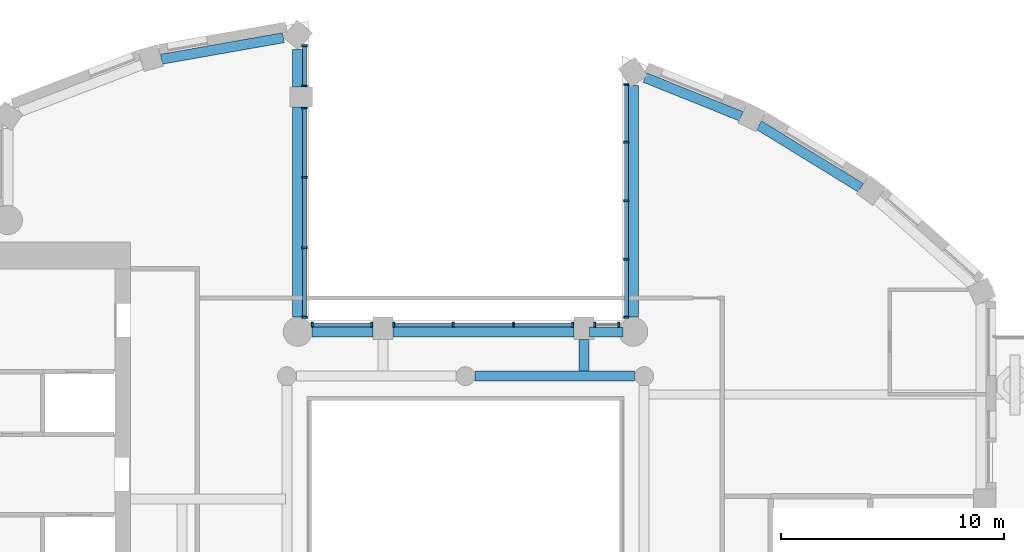
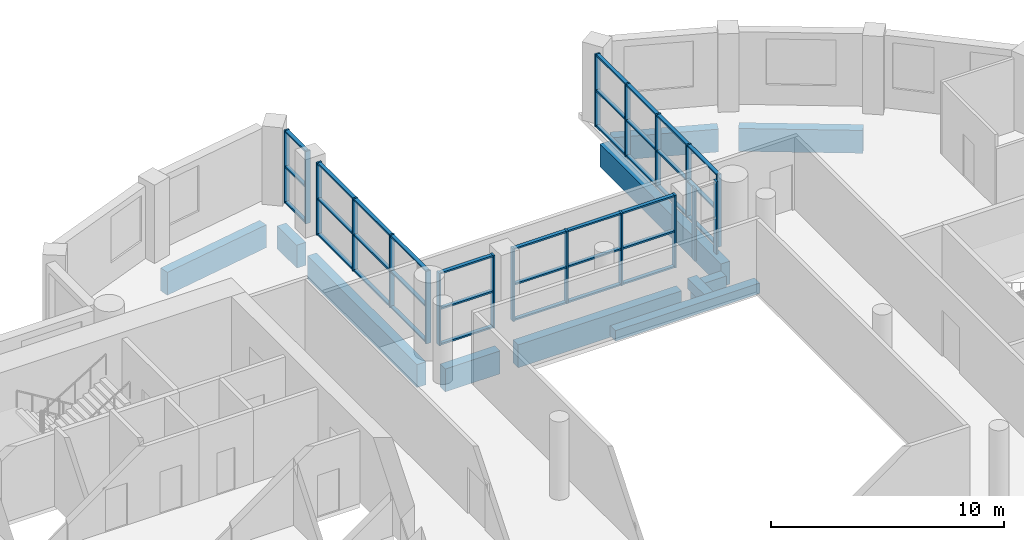
# One storey, part 2 of 14: 55 members, 11 beams, 6 elements without a shape of their own.
"""IFC4 building model written with IfcOpenShell, lengths in metres."""

import ifcopenshell
import ifcopenshell.guid

model = None  # the IFC model being written
_history = None  # IfcOwnerHistory: only IFC2X3 demands one
_inside = {}  # id of a spatial element -> (the spatial element, [elements in it])
_under = {}  # id of a project, library or spatial element -> (it, [spatial elements below it])
_declared = {}  # id of a project -> (the project, [libraries it declares])
_typed = {}  # id of a type object -> (the type object, [elements of that type])
_made_of = {}  # id of a material, layer set ... -> (it, [elements and type objects made of it])


def new_model(schema):
    """Start an empty IFC model of exactly this schema.

    Asked for "IFC4X3", IfcOpenShell would pick the latest addendum, in which some entities
    have other attributes; the version numbers below select the first issue.
    IFC2X3 requires an IfcOwnerHistory on every rooted entity: one is made here for all.
    """
    global model, _history
    if schema == "IFC4X3":
        model = ifcopenshell.file(schema_version=(4, 3, 0, 0))
    else:
        model = ifcopenshell.file(schema=schema)
    _inside.clear()
    _under.clear()
    _declared.clear()
    _typed.clear()
    _made_of.clear()
    _history = None
    if model.schema == "IFC2X3":
        org = make("IfcOrganization", Name="unknown")
        user = make(
            "IfcPersonAndOrganization",
            ThePerson=make("IfcPerson", FamilyName="unknown"),
            TheOrganization=org,
        )
        app = make(
            "IfcApplication",
            ApplicationDeveloper=org,
            Version="unknown",
            ApplicationFullName="unknown",
            ApplicationIdentifier="unknown",
        )
        _history = make(
            "IfcOwnerHistory",
            OwningUser=user,
            OwningApplication=app,
            ChangeAction="ADDED",
            CreationDate=0,
        )
    return model


def make(cls, **values):
    """One entity of the class cls with the attributes given. An attribute that is None is left unset."""
    return model.create_entity(
        cls, **{name: value for name, value in values.items() if value is not None}
    )


def rooted(cls, **values):
    """An entity with a GlobalId (a new one), such as an element, a storey or a relation."""
    return make(cls, GlobalId=ifcopenshell.guid.new(), OwnerHistory=_history, **values)


def si_unit(unit_type, name, prefix=None):
    """IfcSIUnit, for example si_unit("LENGTHUNIT", "METRE", prefix="MILLI")."""
    return make("IfcSIUnit", UnitType=unit_type, Prefix=prefix, Name=name)


def assignment(units):
    """IfcUnitAssignment: the units of a project."""
    return None if units is None else make("IfcUnitAssignment", Units=units)


def point(xyz):
    """IfcCartesianPoint."""
    return None if xyz is None else make("IfcCartesianPoint", Coordinates=xyz)


def direction(xyz):
    """IfcDirection."""
    return None if xyz is None else make("IfcDirection", DirectionRatios=xyz)


def frame(location, z_axis=None, x_axis=None):
    """IfcAxis2Placement3D, a coordinate frame: its origin and axes. An axis left out is left unset."""
    return make(
        "IfcAxis2Placement3D",
        Location=point(location),
        Axis=direction(z_axis),
        RefDirection=direction(x_axis),
    )


def frame_2d(location, x_axis=None):
    """IfcAxis2Placement2D, a coordinate frame in the plane: its origin and x axis."""
    return make(
        "IfcAxis2Placement2D", Location=point(location), RefDirection=direction(x_axis)
    )


def origin():
    """The frame at (0, 0, 0) with its axes left unset."""
    return frame((0.0, 0.0, 0.0))


def origin_2d():
    """The frame at (0, 0) in the plane with its x axis left unset."""
    return frame_2d((0.0, 0.0))


def place(relative_to, where):
    """IfcLocalPlacement: puts the frame where relative to a parent placement (None: the world)."""
    return make(
        "IfcLocalPlacement", PlacementRelTo=relative_to, RelativePlacement=where
    )


def context(
    kind, dimensions, precision=None, world=None, true_north=None, identifier=None
):
    """IfcGeometricRepresentationContext, for example the 3D "Model" context."""
    return make(
        "IfcGeometricRepresentationContext",
        ContextIdentifier=identifier,
        ContextType=kind,
        CoordinateSpaceDimension=dimensions,
        Precision=precision,
        WorldCoordinateSystem=world,
        TrueNorth=true_north,
    )


def subcontext(parent, identifier, kind, view, scale=None):
    """IfcGeometricRepresentationSubContext, for example "Body" below "Model"."""
    return make(
        "IfcGeometricRepresentationSubContext",
        ContextIdentifier=identifier,
        ContextType=kind,
        ParentContext=parent,
        TargetScale=scale,
        TargetView=view,
    )


def project(units=None, contexts=None):
    """IfcProject with its units and contexts."""
    return rooted(
        "IfcProject",
        Name="project",
        RepresentationContexts=contexts,
        UnitsInContext=assignment(units),
    )


def spatial(cls, under=None, at=None, **own):
    """A site, building, storey or space (cls), placed at a placement, below another one or the project."""
    s = rooted(cls, ObjectPlacement=at, **own)
    if under is not None:
        _under.setdefault(under.id(), (under, []))[1].append(s)
    return s


def profile(cls, at=None, kind="AREA", **sizes):
    """A parametric profile (cls). Its sizes go by their IFC names, for example OverallWidth=200.0."""
    return make(cls, ProfileType=kind, Position=at, **sizes)


def rectangle(**sizes):
    """IfcRectangleProfileDef."""
    return profile("IfcRectangleProfileDef", **sizes)


def extrude(swept, where, along, depth):
    """IfcExtrudedAreaSolid: the profile swept, set in the frame where, extruded along a direction by depth."""
    return make(
        "IfcExtrudedAreaSolid",
        SweptArea=swept,
        Position=where,
        ExtrudedDirection=direction(along),
        Depth=depth,
    )


def shape(context_of_items, identifier, shape_type, items):
    """IfcShapeRepresentation: the items that make up one representation, for example the "Body"."""
    return make(
        "IfcShapeRepresentation",
        ContextOfItems=context_of_items,
        RepresentationIdentifier=identifier,
        RepresentationType=shape_type,
        Items=items,
    )


def material(Name=None, Category=None):
    """IfcMaterial."""
    return make("IfcMaterial", Name=Name, Category=Category)


def material_profile(
    of_material, cross_section, Name=None, Category=None, Priority=None
):
    """IfcMaterialProfile: a cross section and its material."""
    return make(
        "IfcMaterialProfile",
        Name=Name,
        Material=of_material,
        Profile=cross_section,
        Priority=Priority,
        Category=Category,
    )


def profile_set(profiles, Name=None, composite=None):
    """IfcMaterialProfileSet."""
    return make(
        "IfcMaterialProfileSet",
        Name=Name,
        MaterialProfiles=profiles,
        CompositeProfile=composite,
    )


def made_of(thing, what):
    """Note that an element or type object is made of a material, layer set ...; save() writes the relation."""
    if what is not None:
        _made_of.setdefault(what.id(), (what, []))[1].append(thing)
    return thing


def type_object(cls, material=None, **own):
    """A type object (cls), such as IfcWallType, which elements share."""
    return made_of(rooted(cls, **own), material)


def element(
    cls,
    number,
    at=None,
    inside=None,
    cuts=None,
    type_object=None,
    material=None,
    context=None,
    identifier="Body",
    shape_type=None,
    held_by="IfcProductDefinitionShape",
    body=None,
    shapes=None,
    **own,
):
    """One element of the class cls, such as IfcWall. Its Tag is "e" and its number.

    at: its placement. inside: the storey or other place that contains it. cuts: it is an
    opening in that element (IfcRelVoidsElement). A single representation is given by context,
    identifier, shape_type and body (its items); several are given by shapes. held_by: the class
    of the entity that holds the representations. save() writes the other relations.
    """
    e = rooted(cls, Tag="e%d" % number, ObjectPlacement=at, **own)
    if body is not None:
        shapes = [shape(context, identifier, shape_type, body)]
    if shapes is not None:
        e.Representation = make(held_by, Representations=shapes)
    if inside is not None:
        _inside.setdefault(inside.id(), (inside, []))[1].append(e)
    if cuts is not None:
        rooted(
            "IfcRelVoidsElement", RelatingBuildingElement=cuts, RelatedOpeningElement=e
        )
    if type_object is not None:
        _typed.setdefault(type_object.id(), (type_object, []))[1].append(e)
    return made_of(e, material)


def aggregate(whole, parts):
    """IfcRelAggregates: a whole, such as a stair, and the parts it consists of."""
    return rooted("IfcRelAggregates", RelatingObject=whole, RelatedObjects=parts)


def save(model, path):
    """Write the relations noted so far, then the file.

    IfcRelAggregates (storeys below a building ...), IfcRelContainedInSpatialStructure (elements
    in a storey), IfcRelDefinesByType, IfcRelAssociatesMaterial and IfcRelDeclares: one each for
    every whole, place, type object, material and project.
    """
    for whole, parts in _under.values():
        aggregate(whole, parts)
    for where, things in _inside.values():
        rooted(
            "IfcRelContainedInSpatialStructure",
            RelatedElements=things,
            RelatingStructure=where,
        )
    for kind, things in _typed.values():
        rooted("IfcRelDefinesByType", RelatedObjects=things, RelatingType=kind)
    for what, things in _made_of.values():
        rooted("IfcRelAssociatesMaterial", RelatedObjects=things, RelatingMaterial=what)
    for by, libraries in _declared.values():
        rooted("IfcRelDeclares", RelatingContext=by, RelatedDefinitions=libraries)
    model.write(path)


model = new_model("IFC4")

# Units and contexts
model_context = context("Model", 3, precision=1e-05, world=origin(), true_north=direction((0.0, 1.0)))
body_context = subcontext(model_context, "Body", "Model", "MODEL_VIEW")
ifc_project = project(units=[si_unit("LENGTHUNIT", "METRE"), si_unit("AREAUNIT", "SQUARE_METRE"), si_unit("VOLUMEUNIT", "CUBIC_METRE"), si_unit("PLANEANGLEUNIT", "RADIAN"), si_unit("MASSUNIT", "GRAM", prefix="KILO")], contexts=[model_context])

# Site, building, storey
site_placement = place(None, origin())
site = spatial("IfcSite", under=ifc_project, at=site_placement, CompositionType="ELEMENT")
building_placement = place(site_placement, origin())
building = spatial("IfcBuilding", under=site, at=building_placement, Name="Cypress Arch Tower", CompositionType="ELEMENT")
storey_placement = place(building_placement, frame((0.0, 0.0, 263.89990234375)))
storey = spatial("IfcBuildingStorey", under=building, at=storey_placement, Name="L59", CompositionType="ELEMENT", Elevation=263.89990234375)

# Beams
ifc_material_1 = material(Name="Concrete C50/60", Category="concrete")
ifc_material_profile_1 = material_profile(ifc_material_1, rectangle(XDim=0.449951171875, YDim=0.550048828125, at=origin_2d()), Name="RC 450x550")
ifc_profile_set_1 = profile_set([ifc_material_profile_1], Name="Concrete C50/60")
beam_type_1 = type_object("IfcBeamType", Name="Floor beam RC 450x550 Concrete C50/60", PredefinedType="BEAM", material=ifc_profile_set_1)
beam_1_placement = place(storey_placement, frame((1.425048828125, 10.0, -0.574951171875), z_axis=(1.0, 0.0, 0.0), x_axis=(0.0, 1.0, 0.0)))
element("IfcBeam", 1, at=beam_1_placement, inside=storey, type_object=beam_type_1, Name="Floor beam L59 RB008", PredefinedType="BEAM", context=body_context, shape_type="SweptSolid", body=[
    extrude(rectangle(XDim=0.449951171875, YDim=0.550048828125, at=origin_2d()), origin(), (0.0, 0.0, 1.0), 7.14990234375),
])
beam_2_placement = place(storey_placement, frame((6.300048828125, 10.22509765625, -0.574951171875), z_axis=(0.0, 1.0, 0.0), x_axis=(-1.0, 0.0, 0.0)))
element("IfcBeam", 2, at=beam_2_placement, inside=storey, type_object=beam_type_1, Name="Floor beam L59 FB013", PredefinedType="BEAM", context=body_context, shape_type="SweptSolid", body=[
    extrude(rectangle(XDim=0.449951171875, YDim=0.550048828125, at=origin_2d()), origin(), (0.0, 0.0, 1.0), 1.4248046875),
])

# Curtain wall, members
ifc_material_2 = material(Name="Anodised aluminium, bronze finish, clear laminated double glazing", Category="aluminium")
curtain_wall_type = type_object("IfcCurtainWallType", Name="Curtain wall CW7 slot glazing", PredefinedType="NOTDEFINED", material=ifc_material_2)
curtain_wall_1_placement = place(storey_placement, origin())
curtain_wall_1 = element("IfcCurtainWall", 3, at=curtain_wall_1_placement, inside=storey, type_object=curtain_wall_type, Name="Curtain wall L59 slot C00.0", PredefinedType="NOTDEFINED")
ifc_material_3 = material(Name="Anodised aluminium, bronze finish", Category="aluminium")
ifc_material_profile_2 = material_profile(ifc_material_3, rectangle(XDim=0.239990234375, YDim=0.0849609375, at=origin_2d()), Name="Mullion 85x240")
ifc_profile_set_2 = profile_set([ifc_material_profile_2], Name="Anodised aluminium, bronze finish")
member_type_1 = type_object("IfcMemberType", Name="Mullion CW7 85x240", PredefinedType="MULLION", material=ifc_profile_set_2)
member_1_placement = place(storey_placement, frame((8.199951171875, 23.060302734375, 0.0), z_axis=(0.0, 0.0, 1.0), x_axis=(1.0, 0.0, 0.0)))
member_1 = element("IfcMember", 4, at=member_1_placement, type_object=member_type_1, Name="CW7 mullion 1", PredefinedType="MULLION", context=body_context, shape_type="SweptSolid", body=[
    extrude(rectangle(XDim=0.239990234375, YDim=0.0849609375, at=origin_2d()), origin(), (0.0, 0.0, 1.0), 3.800048828125),
])
member_2_placement = place(storey_placement, frame((8.199951171875, 20.477294921875, 0.0), z_axis=(0.0, 0.0, 1.0), x_axis=(1.0, 0.0, 0.0)))
member_2 = element("IfcMember", 5, at=member_2_placement, type_object=member_type_1, Name="CW7 mullion 2", PredefinedType="MULLION", context=body_context, shape_type="SweptSolid", body=[
    extrude(rectangle(XDim=0.239990234375, YDim=0.0849609375, at=origin_2d()), origin(), (0.0, 0.0, 1.0), 3.800048828125),
])
member_3_placement = place(storey_placement, frame((8.199951171875, 17.85205078125, 0.0), z_axis=(0.0, 0.0, 1.0), x_axis=(1.0, 0.0, 0.0)))
member_3 = element("IfcMember", 6, at=member_3_placement, type_object=member_type_1, Name="CW7 mullion 3", PredefinedType="MULLION", context=body_context, shape_type="SweptSolid", body=[
    extrude(rectangle(XDim=0.239990234375, YDim=0.0849609375, at=origin_2d()), origin(), (0.0, 0.0, 1.0), 3.800048828125),
])
member_4_placement = place(storey_placement, frame((8.199951171875, 15.226806640625, 0.0), z_axis=(0.0, 0.0, 1.0), x_axis=(1.0, 0.0, 0.0)))
member_4 = element("IfcMember", 7, at=member_4_placement, type_object=member_type_1, Name="CW7 mullion 4", PredefinedType="MULLION", context=body_context, shape_type="SweptSolid", body=[
    extrude(rectangle(XDim=0.239990234375, YDim=0.0849609375, at=origin_2d()), origin(), (0.0, 0.0, 1.0), 3.800048828125),
])
member_5_placement = place(storey_placement, frame((8.199951171875, 12.64404296875, 0.0), z_axis=(0.0, 0.0, 1.0), x_axis=(1.0, 0.0, 0.0)))
member_5 = element("IfcMember", 8, at=member_5_placement, type_object=member_type_1, Name="CW7 mullion 5", PredefinedType="MULLION", context=body_context, shape_type="SweptSolid", body=[
    extrude(rectangle(XDim=0.239990234375, YDim=0.0849609375, at=origin_2d()), origin(), (0.0, 0.0, 1.0), 3.800048828125),
])

curtain_wall_2_placement = place(storey_placement, origin())
curtain_wall_2 = element("IfcCurtainWall", 9, at=curtain_wall_2_placement, inside=storey, type_object=curtain_wall_type, Name="Curtain wall L59 slot C01.0", PredefinedType="NOTDEFINED")
member_6_placement = place(storey_placement, frame((7.85595703125, 12.300048828125, 0.0), z_axis=(0.0, 0.0, 1.0), x_axis=(0.0, -1.0, 0.0)))
member_6 = element("IfcMember", 10, at=member_6_placement, type_object=member_type_1, Name="CW7 mullion 1", PredefinedType="MULLION", context=body_context, shape_type="SweptSolid", body=[
    extrude(rectangle(XDim=0.239990234375, YDim=0.0849609375, at=origin_2d()), origin(), (0.0, 0.0, 1.0), 3.800048828125),
])
member_7_placement = place(storey_placement, frame((6.79248046875, 12.300048828125, 0.0), z_axis=(0.0, 0.0, 1.0), x_axis=(0.0, -1.0, 0.0)))
member_7 = element("IfcMember", 11, at=member_7_placement, type_object=member_type_1, Name="CW7 mullion 2", PredefinedType="MULLION", context=body_context, shape_type="SweptSolid", body=[
    extrude(rectangle(XDim=0.239990234375, YDim=0.0849609375, at=origin_2d()), origin(), (0.0, 0.0, 1.0), 3.800048828125),
])
aggregate(curtain_wall_2, [member_6, member_7])

curtain_wall_3_placement = place(storey_placement, origin())
curtain_wall_3 = element("IfcCurtainWall", 12, at=curtain_wall_3_placement, inside=storey, type_object=curtain_wall_type, Name="Curtain wall L59 slot C01.1", PredefinedType="NOTDEFINED")
member_8_placement = place(storey_placement, frame((5.8076171875, 12.300048828125, 0.0), z_axis=(0.0, 0.0, 1.0), x_axis=(0.0, -1.0, 0.0)))
member_8 = element("IfcMember", 13, at=member_8_placement, type_object=member_type_1, Name="CW7 mullion 1", PredefinedType="MULLION", context=body_context, shape_type="SweptSolid", body=[
    extrude(rectangle(XDim=0.239990234375, YDim=0.0849609375, at=origin_2d()), origin(), (0.0, 0.0, 1.0), 3.800048828125),
])
member_9_placement = place(storey_placement, frame((3.14990234375, 12.300048828125, 0.0), z_axis=(0.0, 0.0, 1.0), x_axis=(0.0, -1.0, 0.0)))
member_9 = element("IfcMember", 14, at=member_9_placement, type_object=member_type_1, Name="CW7 mullion 2", PredefinedType="MULLION", context=body_context, shape_type="SweptSolid", body=[
    extrude(rectangle(XDim=0.239990234375, YDim=0.0849609375, at=origin_2d()), origin(), (0.0, 0.0, 1.0), 3.800048828125),
])
member_10_placement = place(storey_placement, frame((0.449951171875, 12.300048828125, 0.0), z_axis=(0.0, 0.0, 1.0), x_axis=(0.0, -1.0, 0.0)))
member_10 = element("IfcMember", 15, at=member_10_placement, type_object=member_type_1, Name="CW7 mullion 3", PredefinedType="MULLION", context=body_context, shape_type="SweptSolid", body=[
    extrude(rectangle(XDim=0.239990234375, YDim=0.0849609375, at=origin_2d()), origin(), (0.0, 0.0, 1.0), 3.800048828125),
])
member_11_placement = place(storey_placement, frame((-2.20751953125, 12.300048828125, 0.0), z_axis=(0.0, 0.0, 1.0), x_axis=(0.0, -1.0, 0.0)))
member_11 = element("IfcMember", 16, at=member_11_placement, type_object=member_type_1, Name="CW7 mullion 4", PredefinedType="MULLION", context=body_context, shape_type="SweptSolid", body=[
    extrude(rectangle(XDim=0.239990234375, YDim=0.0849609375, at=origin_2d()), origin(), (0.0, 0.0, 1.0), 3.800048828125),
])

curtain_wall_4_placement = place(storey_placement, origin())
curtain_wall_4 = element("IfcCurtainWall", 17, at=curtain_wall_4_placement, inside=storey, type_object=curtain_wall_type, Name="Curtain wall L59 slot C01.2", PredefinedType="NOTDEFINED")
member_12_placement = place(storey_placement, frame((-3.1923828125, 12.300048828125, 0.0), z_axis=(0.0, 0.0, 1.0), x_axis=(0.0, -1.0, 0.0)))
member_12 = element("IfcMember", 18, at=member_12_placement, type_object=member_type_1, Name="CW7 mullion 1", PredefinedType="MULLION", context=body_context, shape_type="SweptSolid", body=[
    extrude(rectangle(XDim=0.239990234375, YDim=0.0849609375, at=origin_2d()), origin(), (0.0, 0.0, 1.0), 3.800048828125),
])
member_13_placement = place(storey_placement, frame((-5.85595703125, 12.300048828125, 0.0), z_axis=(0.0, 0.0, 1.0), x_axis=(0.0, -1.0, 0.0)))
member_13 = element("IfcMember", 19, at=member_13_placement, type_object=member_type_1, Name="CW7 mullion 2", PredefinedType="MULLION", context=body_context, shape_type="SweptSolid", body=[
    extrude(rectangle(XDim=0.239990234375, YDim=0.0849609375, at=origin_2d()), origin(), (0.0, 0.0, 1.0), 3.800048828125),
])

curtain_wall_5_placement = place(storey_placement, origin())
curtain_wall_5 = element("IfcCurtainWall", 20, at=curtain_wall_5_placement, inside=storey, type_object=curtain_wall_type, Name="Curtain wall L59 slot C02.0", PredefinedType="NOTDEFINED")
member_14_placement = place(storey_placement, frame((-6.199951171875, 12.64404296875, 0.0), z_axis=(0.0, 0.0, 1.0), x_axis=(-1.0, 0.0, 0.0)))
member_14 = element("IfcMember", 21, at=member_14_placement, type_object=member_type_1, Name="CW7 mullion 1", PredefinedType="MULLION", context=body_context, shape_type="SweptSolid", body=[
    extrude(rectangle(XDim=0.239990234375, YDim=0.0849609375, at=origin_2d()), origin(), (0.0, 0.0, 1.0), 3.800048828125),
])
member_15_placement = place(storey_placement, frame((-6.199951171875, 15.7509765625, 0.0), z_axis=(0.0, 0.0, 1.0), x_axis=(-1.0, 0.0, 0.0)))
member_15 = element("IfcMember", 22, at=member_15_placement, type_object=member_type_1, Name="CW7 mullion 2", PredefinedType="MULLION", context=body_context, shape_type="SweptSolid", body=[
    extrude(rectangle(XDim=0.239990234375, YDim=0.0849609375, at=origin_2d()), origin(), (0.0, 0.0, 1.0), 3.800048828125),
])
member_16_placement = place(storey_placement, frame((-6.199951171875, 18.900390625, 0.0), z_axis=(0.0, 0.0, 1.0), x_axis=(-1.0, 0.0, 0.0)))
member_16 = element("IfcMember", 23, at=member_16_placement, type_object=member_type_1, Name="CW7 mullion 3", PredefinedType="MULLION", context=body_context, shape_type="SweptSolid", body=[
    extrude(rectangle(XDim=0.239990234375, YDim=0.0849609375, at=origin_2d()), origin(), (0.0, 0.0, 1.0), 3.800048828125),
])
member_17_placement = place(storey_placement, frame((-6.199951171875, 22.007568359375, 0.0), z_axis=(0.0, 0.0, 1.0), x_axis=(-1.0, 0.0, 0.0)))
member_17 = element("IfcMember", 24, at=member_17_placement, type_object=member_type_1, Name="CW7 mullion 4", PredefinedType="MULLION", context=body_context, shape_type="SweptSolid", body=[
    extrude(rectangle(XDim=0.239990234375, YDim=0.0849609375, at=origin_2d()), origin(), (0.0, 0.0, 1.0), 3.800048828125),
])

curtain_wall_6_placement = place(storey_placement, origin())
curtain_wall_6 = element("IfcCurtainWall", 25, at=curtain_wall_6_placement, inside=storey, type_object=curtain_wall_type, Name="Curtain wall L59 slot C02.1", PredefinedType="NOTDEFINED")
member_18_placement = place(storey_placement, frame((-6.199951171875, 22.992431640625, 0.0), z_axis=(0.0, 0.0, 1.0), x_axis=(-1.0, 0.0, 0.0)))
member_18 = element("IfcMember", 26, at=member_18_placement, type_object=member_type_1, Name="CW7 mullion 1", PredefinedType="MULLION", context=body_context, shape_type="SweptSolid", body=[
    extrude(rectangle(XDim=0.239990234375, YDim=0.0849609375, at=origin_2d()), origin(), (0.0, 0.0, 1.0), 3.800048828125),
])
member_19_placement = place(storey_placement, frame((-6.199951171875, 24.789794921875, 0.0), z_axis=(0.0, 0.0, 1.0), x_axis=(-1.0, 0.0, 0.0)))
member_19 = element("IfcMember", 27, at=member_19_placement, type_object=member_type_1, Name="CW7 mullion 2", PredefinedType="MULLION", context=body_context, shape_type="SweptSolid", body=[
    extrude(rectangle(XDim=0.239990234375, YDim=0.0849609375, at=origin_2d()), origin(), (0.0, 0.0, 1.0), 3.800048828125),
])

# Beams
ifc_material_4 = material(Name="Concrete C50/60", Category="concrete")
ifc_material_profile_3 = material_profile(ifc_material_4, rectangle(XDim=0.449951171875, YDim=1.199951171875, at=origin_2d()), Name="RC 450x1200")
ifc_profile_set_3 = profile_set([ifc_material_profile_3], Name="Concrete C50/60")
beam_type_2 = type_object("IfcBeamType", Name="Spandrel beam RC 450x1200 Concrete C50/60", PredefinedType="SPANDREL", material=ifc_profile_set_3)
beam_3_placement = place(storey_placement, frame((8.52490234375, 23.017578125, -1.5498046875), z_axis=(0.0, -1.0, 0.0), x_axis=(1.0, 0.0, 0.0)))
element("IfcBeam", 28, at=beam_3_placement, inside=storey, type_object=beam_type_2, Name="Spandrel beam L59 BC00-0", PredefinedType="SPANDREL", context=body_context, shape_type="SweptSolid", body=[
    extrude(rectangle(XDim=0.449951171875, YDim=1.199951171875, at=origin_2d()), origin(), (0.0, 0.0, 1.0), 10.380126953125),
])
beam_4_placement = place(storey_placement, frame((8.05615234375, 11.97509765625, -1.5498046875), z_axis=(-1.0, 0.0, 0.0), x_axis=(0.0, -1.0, 0.0)))
element("IfcBeam", 29, at=beam_4_placement, inside=storey, type_object=beam_type_2, Name="Spandrel beam L59 BC01-0", PredefinedType="SPANDREL", context=body_context, shape_type="SweptSolid", body=[
    extrude(rectangle(XDim=0.449951171875, YDim=1.199951171875, at=origin_2d()), origin(), (0.0, 0.0, 1.0), 1.5),
])
beam_5_placement = place(storey_placement, frame((5.85009765625, 11.97509765625, -1.5498046875), z_axis=(-1.0, 0.0, 0.0), x_axis=(0.0, -1.0, 0.0)))
element("IfcBeam", 30, at=beam_5_placement, inside=storey, type_object=beam_type_2, Name="Spandrel beam L59 BC01-1", PredefinedType="SPANDREL", context=body_context, shape_type="SweptSolid", body=[
    extrude(rectangle(XDim=0.449951171875, YDim=1.199951171875, at=origin_2d()), origin(), (0.0, 0.0, 1.0), 8.10009765625),
])
beam_6_placement = place(storey_placement, frame((-3.14990234375, 11.97509765625, -1.5498046875), z_axis=(-1.0, 0.0, 0.0), x_axis=(0.0, -1.0, 0.0)))
element("IfcBeam", 31, at=beam_6_placement, inside=storey, type_object=beam_type_2, Name="Spandrel beam L59 BC01-2", PredefinedType="SPANDREL", context=body_context, shape_type="SweptSolid", body=[
    extrude(rectangle(XDim=0.449951171875, YDim=1.199951171875, at=origin_2d()), origin(), (0.0, 0.0, 1.0), 2.712646484375),
])
beam_7_placement = place(storey_placement, frame((-6.52490234375, 12.637451171875, -1.5498046875), z_axis=(0.0, 1.0, 0.0), x_axis=(-1.0, 0.0, 0.0)))
element("IfcBeam", 32, at=beam_7_placement, inside=storey, type_object=beam_type_2, Name="Spandrel beam L59 BC02-0", PredefinedType="SPANDREL", context=body_context, shape_type="SweptSolid", body=[
    extrude(rectangle(XDim=0.449951171875, YDim=1.199951171875, at=origin_2d()), origin(), (0.0, 0.0, 1.0), 9.41259765625),
])
beam_8_placement = place(storey_placement, frame((-6.52490234375, 22.949951171875, -1.5498046875), z_axis=(0.0, 1.0, 0.0), x_axis=(-1.0, 0.0, 0.0)))
element("IfcBeam", 33, at=beam_8_placement, inside=storey, type_object=beam_type_2, Name="Spandrel beam L59 BC02-1", PredefinedType="SPANDREL", context=body_context, shape_type="SweptSolid", body=[
    extrude(rectangle(XDim=0.449951171875, YDim=1.199951171875, at=origin_2d()), origin(), (0.0, 0.0, 1.0), 1.6796875),
])
beam_9_placement = place(storey_placement, frame((-7.14990234375, 25.154052734375, -1.5498046875), z_axis=(-0.984800388539, -0.173689938494, 0.0), x_axis=(0.173689938494, -0.984800388539, 0.0)))
element("IfcBeam", 34, at=beam_9_placement, inside=storey, type_object=beam_type_2, Name="Spandrel beam L59 BC03-0", PredefinedType="SPANDREL", context=body_context, shape_type="SweptSolid", body=[
    extrude(rectangle(XDim=0.449951171875, YDim=1.199951171875, at=origin_2d()), origin(), (0.0, 0.0, 1.0), 5.5478515625),
])
beam_10_placement = place(storey_placement, frame((18.700927734375, 18.43359375, -1.5498046875), z_axis=(-0.851880940975, 0.523735488966, 0.0), x_axis=(-0.523735488966, -0.851880940975, 0.0)))
element("IfcBeam", 35, at=beam_10_placement, inside=storey, type_object=beam_type_2, Name="Spandrel beam L59 BC19-0", PredefinedType="SPANDREL", context=body_context, shape_type="SweptSolid", body=[
    extrude(rectangle(XDim=0.449951171875, YDim=1.199951171875, at=origin_2d()), origin(), (0.0, 0.0, 1.0), 5.344970703125),
])
beam_11_placement = place(storey_placement, frame((13.343994140625, 21.6376953125, -1.5498046875), z_axis=(-0.92793836678, 0.372733668263, 0.0), x_axis=(-0.372733668263, -0.92793836678, 0.0)))
element("IfcBeam", 36, at=beam_11_placement, inside=storey, type_object=beam_type_2, Name="Spandrel beam L59 BC20-0", PredefinedType="SPANDREL", context=body_context, shape_type="SweptSolid", body=[
    extrude(rectangle(XDim=0.449951171875, YDim=1.199951171875, at=origin_2d()), origin(), (0.0, 0.0, 1.0), 4.637451171875),
])

# Member
ifc_material_5 = material(Name="Anodised aluminium, bronze finish", Category="aluminium")
ifc_material_profile_4 = material_profile(ifc_material_5, rectangle(XDim=0.179931640625, YDim=0.0849609375, at=origin_2d()), Name="Transom 85x180")
ifc_profile_set_4 = profile_set([ifc_material_profile_4], Name="Anodised aluminium, bronze finish")
member_type_2 = type_object("IfcMemberType", Name="Transom CW7 85x180", PredefinedType="USERDEFINED", material=ifc_profile_set_4)
member_20_placement = place(storey_placement, frame((8.199951171875, 23.017578125, 0.04248046875), z_axis=(0.0, -1.0, 0.0), x_axis=(1.0, 0.0, 0.0)))
member_20 = element("IfcMember", 37, at=member_20_placement, type_object=member_type_2, Name="CW7 transom 1.1", ObjectType="TRANSOM", PredefinedType="USERDEFINED", context=body_context, shape_type="SweptSolid", body=[
    extrude(rectangle(XDim=0.179931640625, YDim=0.0849609375, at=origin_2d()), origin(), (0.0, 0.0, 1.0), 2.497802734375),
])

member_21_placement = place(storey_placement, frame((8.199951171875, 23.017578125, 1.900146484375), z_axis=(0.0, -1.0, 0.0), x_axis=(1.0, 0.0, 0.0)))
member_21 = element("IfcMember", 38, at=member_21_placement, type_object=member_type_2, Name="CW7 transom 1.2", ObjectType="TRANSOM", PredefinedType="USERDEFINED", context=body_context, shape_type="SweptSolid", body=[
    extrude(rectangle(XDim=0.179931640625, YDim=0.0849609375, at=origin_2d()), origin(), (0.0, 0.0, 1.0), 2.497802734375),
])

member_22_placement = place(storey_placement, frame((8.199951171875, 23.017578125, 3.757568359375), z_axis=(0.0, -1.0, 0.0), x_axis=(1.0, 0.0, 0.0)))
member_22 = element("IfcMember", 39, at=member_22_placement, type_object=member_type_2, Name="CW7 transom 1.3", ObjectType="TRANSOM", PredefinedType="USERDEFINED", context=body_context, shape_type="SweptSolid", body=[
    extrude(rectangle(XDim=0.179931640625, YDim=0.0849609375, at=origin_2d()), origin(), (0.0, 0.0, 1.0), 2.497802734375),
])

member_23_placement = place(storey_placement, frame((8.199951171875, 20.434814453125, 0.04248046875), z_axis=(0.0, -1.0, 0.0), x_axis=(1.0, 0.0, 0.0)))
member_23 = element("IfcMember", 40, at=member_23_placement, type_object=member_type_2, Name="CW7 transom 2.1", ObjectType="TRANSOM", PredefinedType="USERDEFINED", context=body_context, shape_type="SweptSolid", body=[
    extrude(rectangle(XDim=0.179931640625, YDim=0.0849609375, at=origin_2d()), origin(), (0.0, 0.0, 1.0), 2.540283203125),
])

member_24_placement = place(storey_placement, frame((8.199951171875, 20.434814453125, 1.900146484375), z_axis=(0.0, -1.0, 0.0), x_axis=(1.0, 0.0, 0.0)))
member_24 = element("IfcMember", 41, at=member_24_placement, type_object=member_type_2, Name="CW7 transom 2.2", ObjectType="TRANSOM", PredefinedType="USERDEFINED", context=body_context, shape_type="SweptSolid", body=[
    extrude(rectangle(XDim=0.179931640625, YDim=0.0849609375, at=origin_2d()), origin(), (0.0, 0.0, 1.0), 2.540283203125),
])

member_25_placement = place(storey_placement, frame((8.199951171875, 20.434814453125, 3.757568359375), z_axis=(0.0, -1.0, 0.0), x_axis=(1.0, 0.0, 0.0)))
member_25 = element("IfcMember", 42, at=member_25_placement, type_object=member_type_2, Name="CW7 transom 2.3", ObjectType="TRANSOM", PredefinedType="USERDEFINED", context=body_context, shape_type="SweptSolid", body=[
    extrude(rectangle(XDim=0.179931640625, YDim=0.0849609375, at=origin_2d()), origin(), (0.0, 0.0, 1.0), 2.540283203125),
])

member_26_placement = place(storey_placement, frame((8.199951171875, 17.8095703125, 0.04248046875), z_axis=(0.0, -1.0, 0.0), x_axis=(1.0, 0.0, 0.0)))
member_26 = element("IfcMember", 43, at=member_26_placement, type_object=member_type_2, Name="CW7 transom 3.1", ObjectType="TRANSOM", PredefinedType="USERDEFINED", context=body_context, shape_type="SweptSolid", body=[
    extrude(rectangle(XDim=0.179931640625, YDim=0.0849609375, at=origin_2d()), origin(), (0.0, 0.0, 1.0), 2.540283203125),
])

member_27_placement = place(storey_placement, frame((8.199951171875, 17.8095703125, 1.900146484375), z_axis=(0.0, -1.0, 0.0), x_axis=(1.0, 0.0, 0.0)))
member_27 = element("IfcMember", 44, at=member_27_placement, type_object=member_type_2, Name="CW7 transom 3.2", ObjectType="TRANSOM", PredefinedType="USERDEFINED", context=body_context, shape_type="SweptSolid", body=[
    extrude(rectangle(XDim=0.179931640625, YDim=0.0849609375, at=origin_2d()), origin(), (0.0, 0.0, 1.0), 2.540283203125),
])

member_28_placement = place(storey_placement, frame((8.199951171875, 17.8095703125, 3.757568359375), z_axis=(0.0, -1.0, 0.0), x_axis=(1.0, 0.0, 0.0)))
member_28 = element("IfcMember", 45, at=member_28_placement, type_object=member_type_2, Name="CW7 transom 3.3", ObjectType="TRANSOM", PredefinedType="USERDEFINED", context=body_context, shape_type="SweptSolid", body=[
    extrude(rectangle(XDim=0.179931640625, YDim=0.0849609375, at=origin_2d()), origin(), (0.0, 0.0, 1.0), 2.540283203125),
])

member_29_placement = place(storey_placement, frame((8.199951171875, 15.184326171875, 0.04248046875), z_axis=(0.0, -1.0, 0.0), x_axis=(1.0, 0.0, 0.0)))
member_29 = element("IfcMember", 46, at=member_29_placement, type_object=member_type_2, Name="CW7 transom 4.1", ObjectType="TRANSOM", PredefinedType="USERDEFINED", context=body_context, shape_type="SweptSolid", body=[
    extrude(rectangle(XDim=0.179931640625, YDim=0.0849609375, at=origin_2d()), origin(), (0.0, 0.0, 1.0), 2.497802734375),
])

member_30_placement = place(storey_placement, frame((8.199951171875, 15.184326171875, 1.900146484375), z_axis=(0.0, -1.0, 0.0), x_axis=(1.0, 0.0, 0.0)))
member_30 = element("IfcMember", 47, at=member_30_placement, type_object=member_type_2, Name="CW7 transom 4.2", ObjectType="TRANSOM", PredefinedType="USERDEFINED", context=body_context, shape_type="SweptSolid", body=[
    extrude(rectangle(XDim=0.179931640625, YDim=0.0849609375, at=origin_2d()), origin(), (0.0, 0.0, 1.0), 2.497802734375),
])

member_31_placement = place(storey_placement, frame((8.199951171875, 15.184326171875, 3.757568359375), z_axis=(0.0, -1.0, 0.0), x_axis=(1.0, 0.0, 0.0)))
member_31 = element("IfcMember", 48, at=member_31_placement, type_object=member_type_2, Name="CW7 transom 4.3", ObjectType="TRANSOM", PredefinedType="USERDEFINED", context=body_context, shape_type="SweptSolid", body=[
    extrude(rectangle(XDim=0.179931640625, YDim=0.0849609375, at=origin_2d()), origin(), (0.0, 0.0, 1.0), 2.497802734375),
])

aggregate(curtain_wall_1, [member_1, member_2, member_3, member_4, member_5, member_20, member_21, member_22, member_23, member_24, member_25, member_26, member_27, member_28, member_29, member_30, member_31])

member_32_placement = place(storey_placement, frame((5.764892578125, 12.300048828125, 0.04248046875), z_axis=(-1.0, 0.0, 0.0), x_axis=(0.0, -1.0, 0.0)))
member_32 = element("IfcMember", 49, at=member_32_placement, type_object=member_type_2, Name="CW7 transom 1.1", ObjectType="TRANSOM", PredefinedType="USERDEFINED", context=body_context, shape_type="SweptSolid", body=[
    extrude(rectangle(XDim=0.179931640625, YDim=0.0849609375, at=origin_2d()), origin(), (0.0, 0.0, 1.0), 2.572509765625),
])

member_33_placement = place(storey_placement, frame((5.764892578125, 12.300048828125, 1.900146484375), z_axis=(-1.0, 0.0, 0.0), x_axis=(0.0, -1.0, 0.0)))
member_33 = element("IfcMember", 50, at=member_33_placement, type_object=member_type_2, Name="CW7 transom 1.2", ObjectType="TRANSOM", PredefinedType="USERDEFINED", context=body_context, shape_type="SweptSolid", body=[
    extrude(rectangle(XDim=0.179931640625, YDim=0.0849609375, at=origin_2d()), origin(), (0.0, 0.0, 1.0), 2.572509765625),
])

member_34_placement = place(storey_placement, frame((5.764892578125, 12.300048828125, 3.757568359375), z_axis=(-1.0, 0.0, 0.0), x_axis=(0.0, -1.0, 0.0)))
member_34 = element("IfcMember", 51, at=member_34_placement, type_object=member_type_2, Name="CW7 transom 1.3", ObjectType="TRANSOM", PredefinedType="USERDEFINED", context=body_context, shape_type="SweptSolid", body=[
    extrude(rectangle(XDim=0.179931640625, YDim=0.0849609375, at=origin_2d()), origin(), (0.0, 0.0, 1.0), 2.572509765625),
])

member_35_placement = place(storey_placement, frame((3.107421875, 12.300048828125, 0.04248046875), z_axis=(-1.0, 0.0, 0.0), x_axis=(0.0, -1.0, 0.0)))
member_35 = element("IfcMember", 52, at=member_35_placement, type_object=member_type_2, Name="CW7 transom 2.1", ObjectType="TRANSOM", PredefinedType="USERDEFINED", context=body_context, shape_type="SweptSolid", body=[
    extrude(rectangle(XDim=0.179931640625, YDim=0.0849609375, at=origin_2d()), origin(), (0.0, 0.0, 1.0), 2.614990234375),
])

member_36_placement = place(storey_placement, frame((3.107421875, 12.300048828125, 1.900146484375), z_axis=(-1.0, 0.0, 0.0), x_axis=(0.0, -1.0, 0.0)))
member_36 = element("IfcMember", 53, at=member_36_placement, type_object=member_type_2, Name="CW7 transom 2.2", ObjectType="TRANSOM", PredefinedType="USERDEFINED", context=body_context, shape_type="SweptSolid", body=[
    extrude(rectangle(XDim=0.179931640625, YDim=0.0849609375, at=origin_2d()), origin(), (0.0, 0.0, 1.0), 2.614990234375),
])

member_37_placement = place(storey_placement, frame((3.107421875, 12.300048828125, 3.757568359375), z_axis=(-1.0, 0.0, 0.0), x_axis=(0.0, -1.0, 0.0)))
member_37 = element("IfcMember", 54, at=member_37_placement, type_object=member_type_2, Name="CW7 transom 2.3", ObjectType="TRANSOM", PredefinedType="USERDEFINED", context=body_context, shape_type="SweptSolid", body=[
    extrude(rectangle(XDim=0.179931640625, YDim=0.0849609375, at=origin_2d()), origin(), (0.0, 0.0, 1.0), 2.614990234375),
])

member_38_placement = place(storey_placement, frame((0.407470703125, 12.300048828125, 0.04248046875), z_axis=(-1.0, 0.0, 0.0), x_axis=(0.0, -1.0, 0.0)))
member_38 = element("IfcMember", 55, at=member_38_placement, type_object=member_type_2, Name="CW7 transom 3.1", ObjectType="TRANSOM", PredefinedType="USERDEFINED", context=body_context, shape_type="SweptSolid", body=[
    extrude(rectangle(XDim=0.179931640625, YDim=0.0849609375, at=origin_2d()), origin(), (0.0, 0.0, 1.0), 2.572509765625),
])

member_39_placement = place(storey_placement, frame((0.407470703125, 12.300048828125, 1.900146484375), z_axis=(-1.0, 0.0, 0.0), x_axis=(0.0, -1.0, 0.0)))
member_39 = element("IfcMember", 56, at=member_39_placement, type_object=member_type_2, Name="CW7 transom 3.2", ObjectType="TRANSOM", PredefinedType="USERDEFINED", context=body_context, shape_type="SweptSolid", body=[
    extrude(rectangle(XDim=0.179931640625, YDim=0.0849609375, at=origin_2d()), origin(), (0.0, 0.0, 1.0), 2.572509765625),
])

member_40_placement = place(storey_placement, frame((0.407470703125, 12.300048828125, 3.757568359375), z_axis=(-1.0, 0.0, 0.0), x_axis=(0.0, -1.0, 0.0)))
member_40 = element("IfcMember", 57, at=member_40_placement, type_object=member_type_2, Name="CW7 transom 3.3", ObjectType="TRANSOM", PredefinedType="USERDEFINED", context=body_context, shape_type="SweptSolid", body=[
    extrude(rectangle(XDim=0.179931640625, YDim=0.0849609375, at=origin_2d()), origin(), (0.0, 0.0, 1.0), 2.572509765625),
])

aggregate(curtain_wall_3, [member_8, member_9, member_10, member_11, member_32, member_33, member_34, member_35, member_36, member_37, member_38, member_39, member_40])

member_41_placement = place(storey_placement, frame((-3.235107421875, 12.300048828125, 0.04248046875), z_axis=(-1.0, 0.0, 0.0), x_axis=(0.0, -1.0, 0.0)))
member_41 = element("IfcMember", 58, at=member_41_placement, type_object=member_type_2, Name="CW7 transom 1.1", ObjectType="TRANSOM", PredefinedType="USERDEFINED", context=body_context, shape_type="SweptSolid", body=[
    extrude(rectangle(XDim=0.179931640625, YDim=0.0849609375, at=origin_2d()), origin(), (0.0, 0.0, 1.0), 2.578369140625),
])

member_42_placement = place(storey_placement, frame((-3.235107421875, 12.300048828125, 1.900146484375), z_axis=(-1.0, 0.0, 0.0), x_axis=(0.0, -1.0, 0.0)))
member_42 = element("IfcMember", 59, at=member_42_placement, type_object=member_type_2, Name="CW7 transom 1.2", ObjectType="TRANSOM", PredefinedType="USERDEFINED", context=body_context, shape_type="SweptSolid", body=[
    extrude(rectangle(XDim=0.179931640625, YDim=0.0849609375, at=origin_2d()), origin(), (0.0, 0.0, 1.0), 2.578369140625),
])

member_43_placement = place(storey_placement, frame((-3.235107421875, 12.300048828125, 3.757568359375), z_axis=(-1.0, 0.0, 0.0), x_axis=(0.0, -1.0, 0.0)))
member_43 = element("IfcMember", 60, at=member_43_placement, type_object=member_type_2, Name="CW7 transom 1.3", ObjectType="TRANSOM", PredefinedType="USERDEFINED", context=body_context, shape_type="SweptSolid", body=[
    extrude(rectangle(XDim=0.179931640625, YDim=0.0849609375, at=origin_2d()), origin(), (0.0, 0.0, 1.0), 2.578369140625),
])

aggregate(curtain_wall_4, [member_12, member_13, member_41, member_42, member_43])

member_44_placement = place(storey_placement, frame((-6.199951171875, 12.6865234375, 0.04248046875), z_axis=(0.0, 1.0, 0.0), x_axis=(-1.0, 0.0, 0.0)))
member_44 = element("IfcMember", 61, at=member_44_placement, type_object=member_type_2, Name="CW7 transom 1.1", ObjectType="TRANSOM", PredefinedType="USERDEFINED", context=body_context, shape_type="SweptSolid", body=[
    extrude(rectangle(XDim=0.179931640625, YDim=0.0849609375, at=origin_2d()), origin(), (0.0, 0.0, 1.0), 3.02197265625),
])

member_45_placement = place(storey_placement, frame((-6.199951171875, 12.6865234375, 1.900146484375), z_axis=(0.0, 1.0, 0.0), x_axis=(-1.0, 0.0, 0.0)))
member_45 = element("IfcMember", 62, at=member_45_placement, type_object=member_type_2, Name="CW7 transom 1.2", ObjectType="TRANSOM", PredefinedType="USERDEFINED", context=body_context, shape_type="SweptSolid", body=[
    extrude(rectangle(XDim=0.179931640625, YDim=0.0849609375, at=origin_2d()), origin(), (0.0, 0.0, 1.0), 3.02197265625),
])

member_46_placement = place(storey_placement, frame((-6.199951171875, 12.6865234375, 3.757568359375), z_axis=(0.0, 1.0, 0.0), x_axis=(-1.0, 0.0, 0.0)))
member_46 = element("IfcMember", 63, at=member_46_placement, type_object=member_type_2, Name="CW7 transom 1.3", ObjectType="TRANSOM", PredefinedType="USERDEFINED", context=body_context, shape_type="SweptSolid", body=[
    extrude(rectangle(XDim=0.179931640625, YDim=0.0849609375, at=origin_2d()), origin(), (0.0, 0.0, 1.0), 3.02197265625),
])

member_47_placement = place(storey_placement, frame((-6.199951171875, 15.79345703125, 0.04248046875), z_axis=(0.0, 1.0, 0.0), x_axis=(-1.0, 0.0, 0.0)))
member_47 = element("IfcMember", 64, at=member_47_placement, type_object=member_type_2, Name="CW7 transom 2.1", ObjectType="TRANSOM", PredefinedType="USERDEFINED", context=body_context, shape_type="SweptSolid", body=[
    extrude(rectangle(XDim=0.179931640625, YDim=0.0849609375, at=origin_2d()), origin(), (0.0, 0.0, 1.0), 3.064453125),
])

member_48_placement = place(storey_placement, frame((-6.199951171875, 15.79345703125, 1.900146484375), z_axis=(0.0, 1.0, 0.0), x_axis=(-1.0, 0.0, 0.0)))
member_48 = element("IfcMember", 65, at=member_48_placement, type_object=member_type_2, Name="CW7 transom 2.2", ObjectType="TRANSOM", PredefinedType="USERDEFINED", context=body_context, shape_type="SweptSolid", body=[
    extrude(rectangle(XDim=0.179931640625, YDim=0.0849609375, at=origin_2d()), origin(), (0.0, 0.0, 1.0), 3.064453125),
])

member_49_placement = place(storey_placement, frame((-6.199951171875, 15.79345703125, 3.757568359375), z_axis=(0.0, 1.0, 0.0), x_axis=(-1.0, 0.0, 0.0)))
member_49 = element("IfcMember", 66, at=member_49_placement, type_object=member_type_2, Name="CW7 transom 2.3", ObjectType="TRANSOM", PredefinedType="USERDEFINED", context=body_context, shape_type="SweptSolid", body=[
    extrude(rectangle(XDim=0.179931640625, YDim=0.0849609375, at=origin_2d()), origin(), (0.0, 0.0, 1.0), 3.064453125),
])

member_50_placement = place(storey_placement, frame((-6.199951171875, 18.943115234375, 0.04248046875), z_axis=(0.0, 1.0, 0.0), x_axis=(-1.0, 0.0, 0.0)))
member_50 = element("IfcMember", 67, at=member_50_placement, type_object=member_type_2, Name="CW7 transom 3.1", ObjectType="TRANSOM", PredefinedType="USERDEFINED", context=body_context, shape_type="SweptSolid", body=[
    extrude(rectangle(XDim=0.179931640625, YDim=0.0849609375, at=origin_2d()), origin(), (0.0, 0.0, 1.0), 3.02197265625),
])

member_51_placement = place(storey_placement, frame((-6.199951171875, 18.943115234375, 1.900146484375), z_axis=(0.0, 1.0, 0.0), x_axis=(-1.0, 0.0, 0.0)))
member_51 = element("IfcMember", 68, at=member_51_placement, type_object=member_type_2, Name="CW7 transom 3.2", ObjectType="TRANSOM", PredefinedType="USERDEFINED", context=body_context, shape_type="SweptSolid", body=[
    extrude(rectangle(XDim=0.179931640625, YDim=0.0849609375, at=origin_2d()), origin(), (0.0, 0.0, 1.0), 3.02197265625),
])

member_52_placement = place(storey_placement, frame((-6.199951171875, 18.943115234375, 3.757568359375), z_axis=(0.0, 1.0, 0.0), x_axis=(-1.0, 0.0, 0.0)))
member_52 = element("IfcMember", 69, at=member_52_placement, type_object=member_type_2, Name="CW7 transom 3.3", ObjectType="TRANSOM", PredefinedType="USERDEFINED", context=body_context, shape_type="SweptSolid", body=[
    extrude(rectangle(XDim=0.179931640625, YDim=0.0849609375, at=origin_2d()), origin(), (0.0, 0.0, 1.0), 3.02197265625),
])

aggregate(curtain_wall_5, [member_14, member_15, member_16, member_17, member_44, member_45, member_46, member_47, member_48, member_49, member_50, member_51, member_52])

member_53_placement = place(storey_placement, frame((-6.199951171875, 23.034912109375, 0.04248046875), z_axis=(0.0, 1.0, 0.0), x_axis=(-1.0, 0.0, 0.0)))
member_53 = element("IfcMember", 70, at=member_53_placement, type_object=member_type_2, Name="CW7 transom 1.1", ObjectType="TRANSOM", PredefinedType="USERDEFINED", context=body_context, shape_type="SweptSolid", body=[
    extrude(rectangle(XDim=0.179931640625, YDim=0.0849609375, at=origin_2d()), origin(), (0.0, 0.0, 1.0), 1.71240234375),
])

member_54_placement = place(storey_placement, frame((-6.199951171875, 23.034912109375, 1.900146484375), z_axis=(0.0, 1.0, 0.0), x_axis=(-1.0, 0.0, 0.0)))
member_54 = element("IfcMember", 71, at=member_54_placement, type_object=member_type_2, Name="CW7 transom 1.2", ObjectType="TRANSOM", PredefinedType="USERDEFINED", context=body_context, shape_type="SweptSolid", body=[
    extrude(rectangle(XDim=0.179931640625, YDim=0.0849609375, at=origin_2d()), origin(), (0.0, 0.0, 1.0), 1.71240234375),
])

member_55_placement = place(storey_placement, frame((-6.199951171875, 23.034912109375, 3.757568359375), z_axis=(0.0, 1.0, 0.0), x_axis=(-1.0, 0.0, 0.0)))
member_55 = element("IfcMember", 72, at=member_55_placement, type_object=member_type_2, Name="CW7 transom 1.3", ObjectType="TRANSOM", PredefinedType="USERDEFINED", context=body_context, shape_type="SweptSolid", body=[
    extrude(rectangle(XDim=0.179931640625, YDim=0.0849609375, at=origin_2d()), origin(), (0.0, 0.0, 1.0), 1.71240234375),
])

aggregate(curtain_wall_6, [member_18, member_19, member_53, member_54, member_55])

save(model, "model.ifc")
